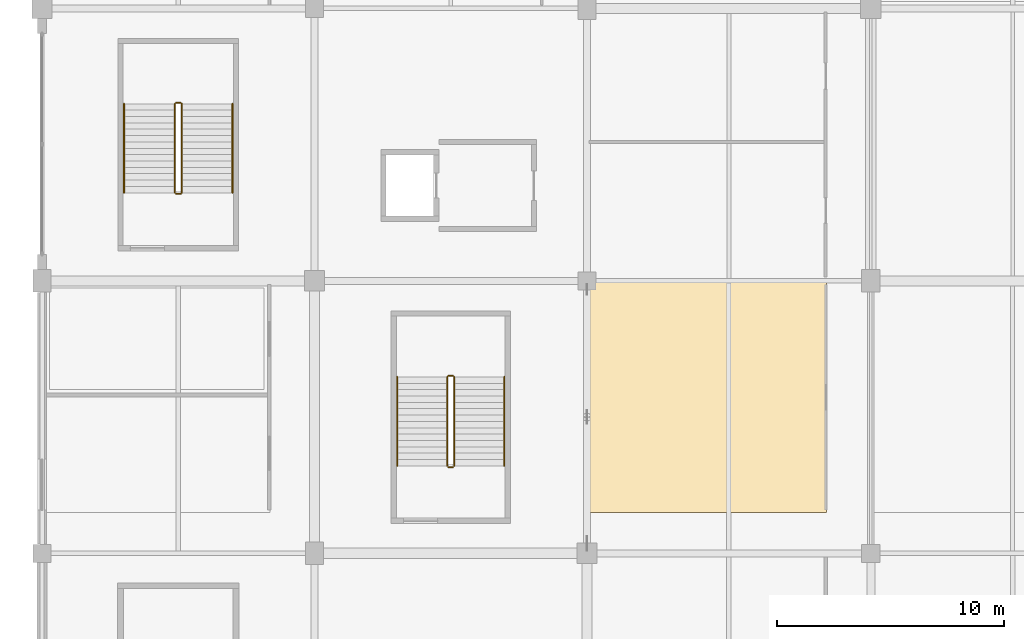
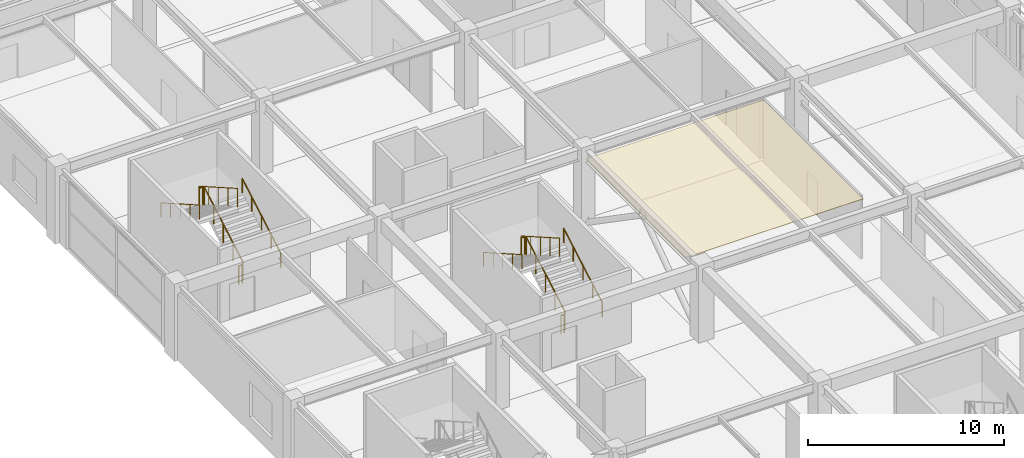
# One storey, part 109 of 134: 12 railings, 1 covering.
"""IFC4 building model written with IfcOpenShell, lengths in metres."""

from ifc_helpers import new_model, si_unit, direction, frame, origin, origin_2d, place, context, subcontext, project, spatial, polyline, circle, outline, extrude, material, layer, layer_set, type_object, element, save


model = new_model("IFC4")

# Units and contexts
model_context = context("Model", 3, precision=1e-05, world=origin(), true_north=direction((0.0, 1.0)))
body_context = subcontext(model_context, "Body", "Model", "MODEL_VIEW")
ifc_project = project(units=[si_unit("LENGTHUNIT", "METRE"), si_unit("AREAUNIT", "SQUARE_METRE"), si_unit("VOLUMEUNIT", "CUBIC_METRE"), si_unit("PLANEANGLEUNIT", "RADIAN"), si_unit("MASSUNIT", "GRAM", prefix="KILO")], contexts=[model_context])

# Site, building, storey
site_placement = place(None, origin())
site = spatial("IfcSite", under=ifc_project, at=site_placement, CompositionType="ELEMENT")
building_placement = place(site_placement, origin())
building = spatial("IfcBuilding", under=site, at=building_placement, Name="Kazenohara Klinker Stadium", CompositionType="ELEMENT")
storey_placement = place(building_placement, frame((0.0, 0.0, 5.39990234375)))
storey = spatial("IfcBuildingStorey", under=building, at=storey_placement, Name="L01", CompositionType="ELEMENT", Elevation=5.39990234375)

# Covering
ifc_material_1 = material(Name="Perforated acoustic mineral-fibre ceiling tile", Category="gypsum")
ifc_layer_1 = layer(ifc_material_1, 0.030029296875)
ifc_layer_set_1 = layer_set([ifc_layer_1], Name="Perforated acoustic mineral-fibre ceiling tile")
covering_type = type_object("IfcCoveringType", Name="COV-CEIL-01", PredefinedType="CEILING", material=ifc_layer_set_1)
covering_placement = place(storey_placement, frame((0.0, 0.0, 3.75)))
element("IfcCovering", 1, at=covering_placement, inside=storey, type_object=covering_type, Name="Suspended acoustic ceiling CL01 Spectator First-Aid Medical Clinic L01-0208A", PredefinedType="CEILING", context=body_context, shape_type="SweptSolid", body=[
    extrude(outline(polyline([(24.06005859375, 97.800048828125), (34.5400390625, 97.800048828125), (34.5400390625, 107.9599609375), (24.06005859375, 107.9599609375), (24.06005859375, 97.800048828125)])), origin(), (0.0, 0.0, 1.0), 0.030029296875),
])

# Railings
ifc_material_2 = material(Name="Brushed stainless steel 304 handrail", Category="steel")
ifc_layer_2 = layer(ifc_material_2, 0.050048828125)
ifc_layer_set_2 = layer_set([ifc_layer_2], Name="Brushed stainless steel 304 handrail")
railing_type_1 = type_object("IfcRailingType", Name="RL-HND-900", PredefinedType="HANDRAIL", material=ifc_layer_set_2)
railing_1_placement = place(storey_placement, frame((8.389892578125, 111.8798828125, 0.16015625)))
element("IfcRailing", 2, at=railing_1_placement, inside=storey, type_object=railing_type_1, Name="L01 ST04 stair handrail 1", PredefinedType="HANDRAIL", context=body_context, shape_type="SweptSolid", body=[
    extrude(circle(Radius=0.02392578125, at=origin_2d()), frame((0.0, 0.0, 0.8759765625), z_axis=(0.0, 0.86825312469, 0.496121468458), x_axis=(-1.0, 0.0, 0.0)), (0.0, 0.0, 1.0), 4.514892578125),
    extrude(circle(Radius=0.02099609375, at=origin_2d()), origin(), (0.0, 0.0, 1.0), 0.851806640625),
    extrude(circle(Radius=0.02099609375, at=origin_2d()), frame((0.0, 0.97998046875, 0.56005859375)), (0.0, 0.0, 1.0), 0.851806640625),
    extrude(circle(Radius=0.02099609375, at=origin_2d()), frame((0.0, 1.9599609375, 1.1201171875)), (0.0, 0.0, 1.0), 0.851806640625),
    extrude(circle(Radius=0.02099609375, at=origin_2d()), frame((0.0, 2.940185546875, 1.679931640625)), (0.0, 0.0, 1.0), 0.851806640625),
    extrude(circle(Radius=0.02099609375, at=origin_2d()), frame((0.0, 3.920166015625, 2.239990234375)), (0.0, 0.0, 1.0), 0.851806640625),
])
railing_2_placement = place(storey_placement, frame((3.610107421875, 115.800048828125, 2.56005859375)))
element("IfcRailing", 3, at=railing_2_placement, inside=storey, type_object=railing_type_1, Name="L01 ST04 stair handrail 2", PredefinedType="HANDRAIL", context=body_context, shape_type="SweptSolid", body=[
    extrude(circle(Radius=0.02392578125, at=origin_2d()), frame((0.0, 0.0, 0.8759765625), z_axis=(0.0, -0.86825312469, 0.496121468458), x_axis=(1.0, 0.0, 0.0)), (0.0, 0.0, 1.0), 4.514892578125),
    extrude(circle(Radius=0.02099609375, at=origin_2d()), origin(), (0.0, 0.0, 1.0), 0.851806640625),
    extrude(circle(Radius=0.02099609375, at=origin_2d()), frame((0.0, -0.97998046875, 0.56005859375)), (0.0, 0.0, 1.0), 0.851806640625),
    extrude(circle(Radius=0.02099609375, at=origin_2d()), frame((0.0, -1.9599609375, 1.1201171875)), (0.0, 0.0, 1.0), 0.851806640625),
    extrude(circle(Radius=0.02099609375, at=origin_2d()), frame((0.0, -2.940185546875, 1.679931640625)), (0.0, 0.0, 1.0), 0.851806640625),
    extrude(circle(Radius=0.02099609375, at=origin_2d()), frame((0.0, -3.920166015625, 2.239990234375)), (0.0, 0.0, 1.0), 0.851806640625),
])
railing_3_placement = place(storey_placement, frame((20.360107421875, 99.85009765625, 0.16015625)))
element("IfcRailing", 4, at=railing_3_placement, inside=storey, type_object=railing_type_1, Name="L01 ST14 stair handrail 1", PredefinedType="HANDRAIL", context=body_context, shape_type="SweptSolid", body=[
    extrude(circle(Radius=0.02392578125, at=origin_2d()), frame((0.0, 0.0, 0.8759765625), z_axis=(0.0, 0.868239814368, 0.496144761885), x_axis=(-1.0, 0.0, 0.0)), (0.0, 0.0, 1.0), 4.514892578125),
    extrude(circle(Radius=0.02099609375, at=origin_2d()), origin(), (0.0, 0.0, 1.0), 0.851806640625),
    extrude(circle(Radius=0.02099609375, at=origin_2d()), frame((0.0, 0.97998046875, 0.56005859375)), (0.0, 0.0, 1.0), 0.851806640625),
    extrude(circle(Radius=0.02099609375, at=origin_2d()), frame((0.0, 1.9599609375, 1.1201171875)), (0.0, 0.0, 1.0), 0.851806640625),
    extrude(circle(Radius=0.02099609375, at=origin_2d()), frame((0.0, 2.93994140625, 1.679931640625)), (0.0, 0.0, 1.0), 0.851806640625),
    extrude(circle(Radius=0.02099609375, at=origin_2d()), frame((0.0, 3.919921875, 2.239990234375)), (0.0, 0.0, 1.0), 0.851806640625),
])
railing_4_placement = place(storey_placement, frame((15.639892578125, 103.77001953125, 2.56005859375)))
element("IfcRailing", 5, at=railing_4_placement, inside=storey, type_object=railing_type_1, Name="L01 ST14 stair handrail 2", PredefinedType="HANDRAIL", context=body_context, shape_type="SweptSolid", body=[
    extrude(circle(Radius=0.02392578125, at=origin_2d()), frame((0.0, 0.0, 0.8759765625), z_axis=(0.0, -0.868239814368, 0.496144761885), x_axis=(1.0, 0.0, 0.0)), (0.0, 0.0, 1.0), 4.514892578125),
    extrude(circle(Radius=0.02099609375, at=origin_2d()), origin(), (0.0, 0.0, 1.0), 0.851806640625),
    extrude(circle(Radius=0.02099609375, at=origin_2d()), frame((0.0, -0.97998046875, 0.56005859375)), (0.0, 0.0, 1.0), 0.851806640625),
    extrude(circle(Radius=0.02099609375, at=origin_2d()), frame((0.0, -1.9599609375, 1.1201171875)), (0.0, 0.0, 1.0), 0.851806640625),
    extrude(circle(Radius=0.02099609375, at=origin_2d()), frame((0.0, -2.93994140625, 1.679931640625)), (0.0, 0.0, 1.0), 0.851806640625),
    extrude(circle(Radius=0.02099609375, at=origin_2d()), frame((0.0, -3.919921875, 2.239990234375)), (0.0, 0.0, 1.0), 0.851806640625),
])
ifc_material_3 = material(Name="Painted steel stairwell guardrail", Category="steel")
ifc_layer_3 = layer(ifc_material_3, 0.06005859375)
ifc_layer_set_3 = layer_set([ifc_layer_3], Name="Painted steel stairwell guardrail")
railing_type_2 = type_object("IfcRailingType", Name="RL-STG-1120", PredefinedType="GUARDRAIL", material=ifc_layer_set_3)
railing_5_placement = place(storey_placement, frame((6.14990234375, 111.8798828125, 0.16015625)))
element("IfcRailing", 6, at=railing_5_placement, inside=storey, type_object=railing_type_2, Name="L01 ST04 stair guard 1", PredefinedType="GUARDRAIL", context=body_context, shape_type="SweptSolid", body=[
    extrude(circle(Radius=0.02392578125, at=origin_2d()), frame((0.0, 0.0, 1.1259765625), z_axis=(0.0, 0.86825312469, 0.496121468458), x_axis=(-1.0, 0.0, 0.0)), (0.0, 0.0, 1.0), 4.514892578125),
    extrude(circle(Radius=0.02099609375, at=origin_2d()), origin(), (0.0, 0.0, 1.0), 1.101806640625),
    extrude(circle(Radius=0.02099609375, at=origin_2d()), frame((0.0, 0.97998046875, 0.56005859375)), (0.0, 0.0, 1.0), 1.101806640625),
    extrude(circle(Radius=0.02099609375, at=origin_2d()), frame((0.0, 1.9599609375, 1.1201171875)), (0.0, 0.0, 1.0), 1.101806640625),
    extrude(circle(Radius=0.02099609375, at=origin_2d()), frame((0.0, 2.940185546875, 1.679931640625)), (0.0, 0.0, 1.0), 1.101806640625),
    extrude(circle(Radius=0.02099609375, at=origin_2d()), frame((0.0, 3.920166015625, 2.239990234375)), (0.0, 0.0, 1.0), 1.101806640625),
])
railing_6_placement = place(storey_placement, frame((6.10009765625, 115.85009765625, 2.400146484375)))
element("IfcRailing", 7, at=railing_6_placement, inside=storey, type_object=railing_type_2, Name="L01 ST04 stair guard 2", PredefinedType="GUARDRAIL", context=body_context, shape_type="SweptSolid", body=[
    extrude(circle(Radius=0.02392578125, at=origin_2d()), frame((0.0, 0.0, 1.1259765625), z_axis=(-1.0, 0.0, 0.0), x_axis=(0.0, -1.0, 0.0)), (0.0, 0.0, 1.0), 0.2001953125),
    extrude(circle(Radius=0.02099609375, at=origin_2d()), origin(), (0.0, 0.0, 1.0), 1.101806640625),
    extrude(circle(Radius=0.02099609375, at=origin_2d()), frame((-0.2001953125, 0.0, 0.0)), (0.0, 0.0, 1.0), 1.101806640625),
])
railing_7_placement = place(storey_placement, frame((5.85009765625, 115.800048828125, 2.56005859375)))
element("IfcRailing", 8, at=railing_7_placement, inside=storey, type_object=railing_type_2, Name="L01 ST04 stair guard 3", PredefinedType="GUARDRAIL", context=body_context, shape_type="SweptSolid", body=[
    extrude(circle(Radius=0.02392578125, at=origin_2d()), frame((0.0, 0.0, 1.1259765625), z_axis=(0.0, -0.86825312469, 0.496121468458), x_axis=(1.0, 0.0, 0.0)), (0.0, 0.0, 1.0), 4.514892578125),
    extrude(circle(Radius=0.02099609375, at=origin_2d()), origin(), (0.0, 0.0, 1.0), 1.101806640625),
    extrude(circle(Radius=0.02099609375, at=origin_2d()), frame((0.0, -0.97998046875, 0.56005859375)), (0.0, 0.0, 1.0), 1.101806640625),
    extrude(circle(Radius=0.02099609375, at=origin_2d()), frame((0.0, -1.9599609375, 1.1201171875)), (0.0, 0.0, 1.0), 1.101806640625),
    extrude(circle(Radius=0.02099609375, at=origin_2d()), frame((0.0, -2.940185546875, 1.679931640625)), (0.0, 0.0, 1.0), 1.101806640625),
    extrude(circle(Radius=0.02099609375, at=origin_2d()), frame((0.0, -3.920166015625, 2.239990234375)), (0.0, 0.0, 1.0), 1.101806640625),
])
railing_8_placement = place(storey_placement, frame((6.10009765625, 111.830078125, 0.0)))
element("IfcRailing", 9, at=railing_8_placement, inside=storey, type_object=railing_type_2, Name="L01 ST04 stair guard 4", PredefinedType="GUARDRAIL", context=body_context, shape_type="SweptSolid", body=[
    extrude(circle(Radius=0.02392578125, at=origin_2d()), frame((0.0, 0.0, 1.1259765625), z_axis=(-1.0, 0.0, 0.0), x_axis=(0.0, -1.0, 0.0)), (0.0, 0.0, 1.0), 0.2001953125),
    extrude(circle(Radius=0.02099609375, at=origin_2d()), origin(), (0.0, 0.0, 1.0), 1.101806640625),
    extrude(circle(Radius=0.02099609375, at=origin_2d()), frame((-0.2001953125, 0.0, 0.0)), (0.0, 0.0, 1.0), 1.101806640625),
])
railing_9_placement = place(storey_placement, frame((18.14990234375, 99.85009765625, 0.16015625)))
element("IfcRailing", 10, at=railing_9_placement, inside=storey, type_object=railing_type_2, Name="L01 ST14 stair guard 1", PredefinedType="GUARDRAIL", context=body_context, shape_type="SweptSolid", body=[
    extrude(circle(Radius=0.02392578125, at=origin_2d()), frame((0.0, 0.0, 1.1259765625), z_axis=(0.0, 0.868239814368, 0.496144761885), x_axis=(-1.0, 0.0, 0.0)), (0.0, 0.0, 1.0), 4.514892578125),
    extrude(circle(Radius=0.02099609375, at=origin_2d()), origin(), (0.0, 0.0, 1.0), 1.101806640625),
    extrude(circle(Radius=0.02099609375, at=origin_2d()), frame((0.0, 0.97998046875, 0.56005859375)), (0.0, 0.0, 1.0), 1.101806640625),
    extrude(circle(Radius=0.02099609375, at=origin_2d()), frame((0.0, 1.9599609375, 1.1201171875)), (0.0, 0.0, 1.0), 1.101806640625),
    extrude(circle(Radius=0.02099609375, at=origin_2d()), frame((0.0, 2.93994140625, 1.679931640625)), (0.0, 0.0, 1.0), 1.101806640625),
    extrude(circle(Radius=0.02099609375, at=origin_2d()), frame((0.0, 3.919921875, 2.239990234375)), (0.0, 0.0, 1.0), 1.101806640625),
])
railing_10_placement = place(storey_placement, frame((18.10009765625, 103.820068359375, 2.400146484375)))
element("IfcRailing", 11, at=railing_10_placement, inside=storey, type_object=railing_type_2, Name="L01 ST14 stair guard 2", PredefinedType="GUARDRAIL", context=body_context, shape_type="SweptSolid", body=[
    extrude(circle(Radius=0.02392578125, at=origin_2d()), frame((0.0, 0.0, 1.1259765625), z_axis=(-1.0, 0.0, 0.0), x_axis=(0.0, -1.0, 0.0)), (0.0, 0.0, 1.0), 0.2001953125),
    extrude(circle(Radius=0.02099609375, at=origin_2d()), origin(), (0.0, 0.0, 1.0), 1.101806640625),
    extrude(circle(Radius=0.02099609375, at=origin_2d()), frame((-0.2001953125, 0.0, 0.0)), (0.0, 0.0, 1.0), 1.101806640625),
])
railing_11_placement = place(storey_placement, frame((17.85009765625, 103.77001953125, 2.56005859375)))
element("IfcRailing", 12, at=railing_11_placement, inside=storey, type_object=railing_type_2, Name="L01 ST14 stair guard 3", PredefinedType="GUARDRAIL", context=body_context, shape_type="SweptSolid", body=[
    extrude(circle(Radius=0.02392578125, at=origin_2d()), frame((0.0, 0.0, 1.1259765625), z_axis=(0.0, -0.868239814368, 0.496144761885), x_axis=(1.0, 0.0, 0.0)), (0.0, 0.0, 1.0), 4.514892578125),
    extrude(circle(Radius=0.02099609375, at=origin_2d()), origin(), (0.0, 0.0, 1.0), 1.101806640625),
    extrude(circle(Radius=0.02099609375, at=origin_2d()), frame((0.0, -0.97998046875, 0.56005859375)), (0.0, 0.0, 1.0), 1.101806640625),
    extrude(circle(Radius=0.02099609375, at=origin_2d()), frame((0.0, -1.9599609375, 1.1201171875)), (0.0, 0.0, 1.0), 1.101806640625),
    extrude(circle(Radius=0.02099609375, at=origin_2d()), frame((0.0, -2.93994140625, 1.679931640625)), (0.0, 0.0, 1.0), 1.101806640625),
    extrude(circle(Radius=0.02099609375, at=origin_2d()), frame((0.0, -3.919921875, 2.239990234375)), (0.0, 0.0, 1.0), 1.101806640625),
])
railing_12_placement = place(storey_placement, frame((18.10009765625, 99.800048828125, 0.0)))
element("IfcRailing", 13, at=railing_12_placement, inside=storey, type_object=railing_type_2, Name="L01 ST14 stair guard 4", PredefinedType="GUARDRAIL", context=body_context, shape_type="SweptSolid", body=[
    extrude(circle(Radius=0.02392578125, at=origin_2d()), frame((0.0, 0.0, 1.1259765625), z_axis=(-1.0, 0.0, 0.0), x_axis=(0.0, -1.0, 0.0)), (0.0, 0.0, 1.0), 0.2001953125),
    extrude(circle(Radius=0.02099609375, at=origin_2d()), origin(), (0.0, 0.0, 1.0), 1.101806640625),
    extrude(circle(Radius=0.02099609375, at=origin_2d()), frame((-0.2001953125, 0.0, 0.0)), (0.0, 0.0, 1.0), 1.101806640625),
])

save(model, "model.ifc")
